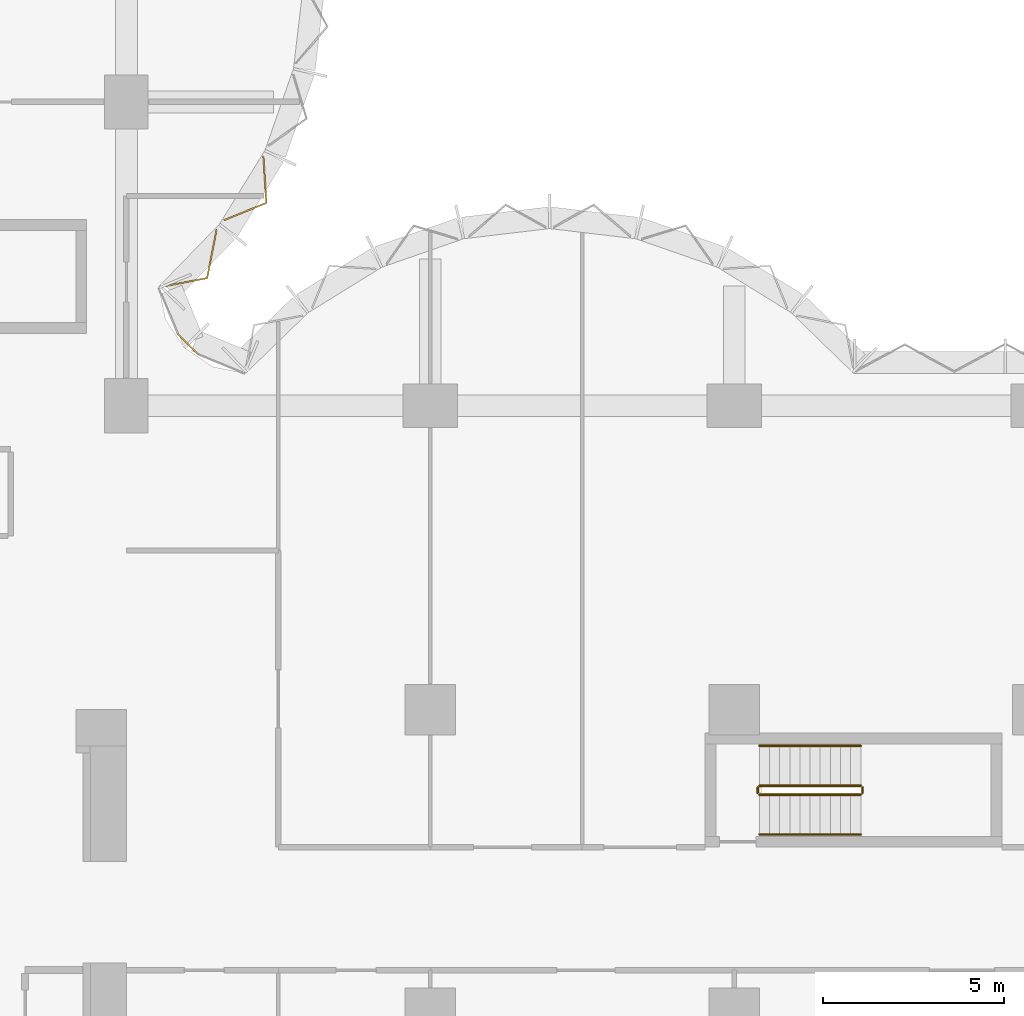
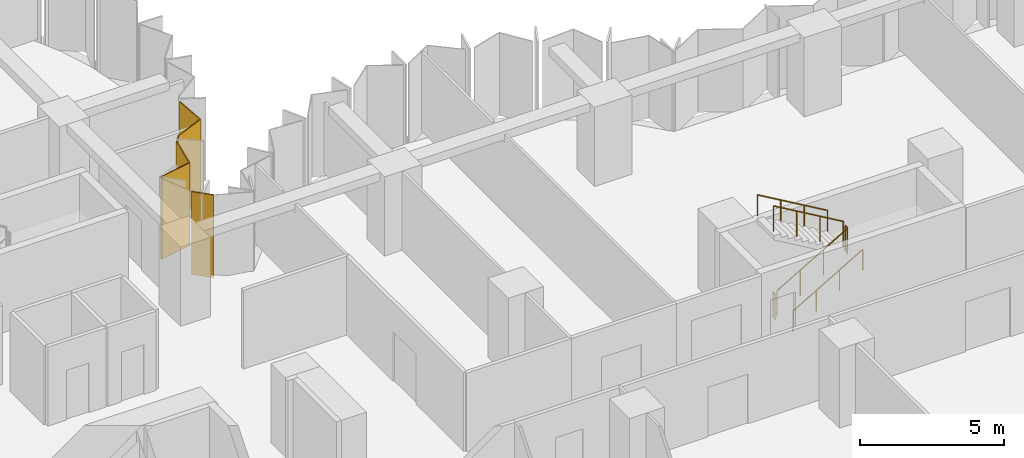
# One storey, part 14 of 15: 6 railings, 3 coverings, 2 elements without a shape of their own.
"""IFC4 building model written with IfcOpenShell, lengths in metres."""

from ifc_helpers import new_model, si_unit, direction, frame, origin, origin_2d, place, context, subcontext, project, spatial, polyline, circle, outline, extrude, material, layer, layer_set, type_object, element, aggregate, save


model = new_model("IFC4")

# Units and contexts
model_context = context("Model", 3, precision=1e-05, world=origin(), true_north=direction((0.0, 1.0)))
body_context = subcontext(model_context, "Body", "Model", "MODEL_VIEW")
ifc_project = project(units=[si_unit("LENGTHUNIT", "METRE"), si_unit("AREAUNIT", "SQUARE_METRE"), si_unit("VOLUMEUNIT", "CUBIC_METRE"), si_unit("PLANEANGLEUNIT", "RADIAN"), si_unit("MASSUNIT", "GRAM", prefix="KILO")], contexts=[model_context])

# Site, building, storey
site_placement = place(None, origin())
site = spatial("IfcSite", under=ifc_project, at=site_placement, CompositionType="ELEMENT")
building_placement = place(site_placement, origin())
building = spatial("IfcBuilding", under=site, at=building_placement, Name="Brevane Broadcast Tower", CompositionType="ELEMENT")
storey_placement = place(building_placement, frame((0.0, 0.0, 61.699951171875)))
storey = spatial("IfcBuildingStorey", under=building, at=storey_placement, Name="L13", CompositionType="ELEMENT", Elevation=61.699951171875)

# Railings
ifc_material_1 = material(Name="Steel S355", Category="steel")
railing_type_1 = type_object("IfcRailingType", Name="Exit stair guard", PredefinedType="GUARDRAIL", material=ifc_material_1)
railing_1_placement = place(storey_placement, frame((42.699951171875, 14.449951171875, 0.16357421875)))
element("IfcRailing", 1, at=railing_1_placement, inside=storey, type_object=railing_type_1, Name="L13 ST-4 stair guard 1", PredefinedType="GUARDRAIL", context=body_context, shape_type="SweptSolid", body=[
    extrude(circle(Radius=0.02392578125, at=origin_2d()), frame((0.0, 0.0, 1.076171875), z_axis=(0.863360870873, 0.0, 0.504586966384), x_axis=(0.0, 1.0, 0.0)), (0.0, 0.0, 1.0), 3.2431640625),
    extrude(circle(Radius=0.02099609375, at=origin_2d()), origin(), (0.0, 0.0, 1.0), 1.052001953125),
    extrude(circle(Radius=0.02099609375, at=origin_2d()), frame((0.933349609375, 0.0, 0.54541015625)), (0.0, 0.0, 1.0), 1.052001953125),
    extrude(circle(Radius=0.02099609375, at=origin_2d()), frame((1.86669921875, 0.0, 1.091064453125)), (0.0, 0.0, 1.0), 1.052001953125),
    extrude(circle(Radius=0.02099609375, at=origin_2d()), frame((2.800048828125, 0.0, 1.636474609375)), (0.0, 0.0, 1.0), 1.052001953125),
])
railing_2_placement = place(storey_placement, frame((45.550048828125, 14.5, 1.800048828125)))
element("IfcRailing", 2, at=railing_2_placement, inside=storey, type_object=railing_type_1, Name="L13 ST-4 stair guard 2", PredefinedType="GUARDRAIL", context=body_context, shape_type="SweptSolid", body=[
    extrude(circle(Radius=0.02392578125, at=origin_2d()), frame((0.0, 0.0, 1.076171875), z_axis=(0.0, 1.0, 0.0), x_axis=(-1.0, 0.0, 0.0)), (0.0, 0.0, 1.0), 0.14990234375),
    extrude(circle(Radius=0.02099609375, at=origin_2d()), origin(), (0.0, 0.0, 1.0), 1.052001953125),
    extrude(circle(Radius=0.02099609375, at=origin_2d()), frame((0.0, 0.14990234375, 0.0)), (0.0, 0.0, 1.0), 1.052001953125),
])
railing_3_placement = place(storey_placement, frame((45.5, 14.699951171875, 1.963623046875)))
element("IfcRailing", 3, at=railing_3_placement, inside=storey, type_object=railing_type_1, Name="L13 ST-4 stair guard 3", PredefinedType="GUARDRAIL", context=body_context, shape_type="SweptSolid", body=[
    extrude(circle(Radius=0.02392578125, at=origin_2d()), frame((0.0, 0.0, 1.076171875), z_axis=(-0.863360870873, 0.0, 0.504586966384), x_axis=(0.0, -1.0, 0.0)), (0.0, 0.0, 1.0), 3.2431640625),
    extrude(circle(Radius=0.02099609375, at=origin_2d()), origin(), (0.0, 0.0, 1.0), 1.052001953125),
    extrude(circle(Radius=0.02099609375, at=origin_2d()), frame((-0.933349609375, 0.0, 0.54541015625)), (0.0, 0.0, 1.0), 1.052001953125),
    extrude(circle(Radius=0.02099609375, at=origin_2d()), frame((-1.86669921875, 0.0, 1.091064453125)), (0.0, 0.0, 1.0), 1.052001953125),
    extrude(circle(Radius=0.02099609375, at=origin_2d()), frame((-2.800048828125, 0.0, 1.636474609375)), (0.0, 0.0, 1.0), 1.052001953125),
])
railing_4_placement = place(storey_placement, frame((42.64990234375, 14.5, 0.0)))
element("IfcRailing", 4, at=railing_4_placement, inside=storey, type_object=railing_type_1, Name="L13 ST-4 stair guard 4", PredefinedType="GUARDRAIL", context=body_context, shape_type="SweptSolid", body=[
    extrude(circle(Radius=0.02392578125, at=origin_2d()), frame((0.0, 0.0, 1.076171875), z_axis=(0.0, 1.0, 0.0), x_axis=(-1.0, 0.0, 0.0)), (0.0, 0.0, 1.0), 0.14990234375),
    extrude(circle(Radius=0.02099609375, at=origin_2d()), origin(), (0.0, 0.0, 1.0), 1.052001953125),
    extrude(circle(Radius=0.02099609375, at=origin_2d()), frame((0.0, 0.14990234375, 0.0)), (0.0, 0.0, 1.0), 1.052001953125),
])
railing_type_2 = type_object("IfcRailingType", Name="Exit stair handrail", PredefinedType="HANDRAIL", material=ifc_material_1)
railing_5_placement = place(storey_placement, frame((42.699951171875, 13.35009765625, 0.16357421875)))
element("IfcRailing", 5, at=railing_5_placement, inside=storey, type_object=railing_type_2, Name="L13 ST-4 stair handrail 1", PredefinedType="HANDRAIL", context=body_context, shape_type="SweptSolid", body=[
    extrude(circle(Radius=0.02392578125, at=origin_2d()), frame((0.0, 0.0, 0.8759765625), z_axis=(0.863360870873, 0.0, 0.504586966384), x_axis=(0.0, 1.0, 0.0)), (0.0, 0.0, 1.0), 3.2431640625),
    extrude(circle(Radius=0.02099609375, at=origin_2d()), origin(), (0.0, 0.0, 1.0), 0.851806640625),
    extrude(circle(Radius=0.02099609375, at=origin_2d()), frame((0.933349609375, 0.0, 0.54541015625)), (0.0, 0.0, 1.0), 0.851806640625),
    extrude(circle(Radius=0.02099609375, at=origin_2d()), frame((1.86669921875, 0.0, 1.091064453125)), (0.0, 0.0, 1.0), 0.851806640625),
    extrude(circle(Radius=0.02099609375, at=origin_2d()), frame((2.800048828125, 0.0, 1.636474609375)), (0.0, 0.0, 1.0), 0.851806640625),
])
railing_6_placement = place(storey_placement, frame((45.5, 15.800048828125, 1.963623046875)))
element("IfcRailing", 6, at=railing_6_placement, inside=storey, type_object=railing_type_2, Name="L13 ST-4 stair handrail 2", PredefinedType="HANDRAIL", context=body_context, shape_type="SweptSolid", body=[
    extrude(circle(Radius=0.02392578125, at=origin_2d()), frame((0.0, 0.0, 0.8759765625), z_axis=(-0.863360870873, 0.0, 0.504586966384), x_axis=(0.0, -1.0, 0.0)), (0.0, 0.0, 1.0), 3.2431640625),
    extrude(circle(Radius=0.02099609375, at=origin_2d()), origin(), (0.0, 0.0, 1.0), 0.851806640625),
    extrude(circle(Radius=0.02099609375, at=origin_2d()), frame((-0.933349609375, 0.0, 0.54541015625)), (0.0, 0.0, 1.0), 0.851806640625),
    extrude(circle(Radius=0.02099609375, at=origin_2d()), frame((-1.86669921875, 0.0, 1.091064453125)), (0.0, 0.0, 1.0), 0.851806640625),
    extrude(circle(Radius=0.02099609375, at=origin_2d()), frame((-2.800048828125, 0.0, 1.636474609375)), (0.0, 0.0, 1.0), 0.851806640625),
])

# Curtain wall, coverings
ifc_material_2 = material(Name="Aluminium 6063-T6 bronze anodised", Category="aluminium")
curtain_wall_type = type_object("IfcCurtainWallType", Name="CW-1 curtain wall", PredefinedType="NOTDEFINED", material=ifc_material_2)
curtain_wall_1_placement = place(storey_placement, origin())
curtain_wall_1 = element("IfcCurtainWall", 7, at=curtain_wall_1_placement, inside=storey, type_object=curtain_wall_type, Name="CW-1 typical tilted unit L13 north bow", PredefinedType="NOTDEFINED")
ifc_material_3 = material(Name="Back-painted bronze glass shadow-box", Category="glass")
ifc_layer = layer(ifc_material_3, 0.0400390625)
ifc_layer_set = layer_set([ifc_layer], Name="Shadow-box panel 40")
covering_type = type_object("IfcCoveringType", Name="Shadow-box panel 40", PredefinedType="CLADDING", material=ifc_layer_set)
covering_1_placement = place(storey_placement, frame((0.0, 0.0, -0.14990234375)))
covering_1 = element("IfcCovering", 8, at=covering_1_placement, type_object=covering_type, Name="Shadow-box panel", PredefinedType="CLADDING", context=body_context, shape_type="SweptSolid", body=[
    extrude(outline(polyline([(26.14404296875, 28.506103515625), (26.17919921875, 28.471923828125), (27.447265625, 28.7138671875), (27.71142578125, 30.0615234375), (27.67626953125, 30.089111328125), (27.4130859375, 28.748046875), (26.14404296875, 28.506103515625)])), origin(), (0.0, 0.0, 1.0), 3.5),
])
covering_2_placement = place(storey_placement, frame((0.0, 0.0, -0.14990234375)))
covering_2 = element("IfcCovering", 9, at=covering_2_placement, type_object=covering_type, Name="Shadow-box panel", PredefinedType="CLADDING", context=body_context, shape_type="SweptSolid", body=[
    extrude(outline(polyline([(27.8759765625, 30.343017578125), (27.912109375, 30.314697265625), (29.089111328125, 30.7958984375), (29.006591796875, 32.08935546875), (28.96533203125, 32.10888671875), (29.04736328125, 30.822265625), (27.8759765625, 30.343017578125)])), origin(), (0.0, 0.0, 1.0), 3.5),
])
aggregate(curtain_wall_1, [covering_1, covering_2])

# Curtain wall, covering
curtain_wall_2_placement = place(storey_placement, origin())
curtain_wall_2 = element("IfcCurtainWall", 10, at=curtain_wall_2_placement, inside=storey, type_object=curtain_wall_type, Name="CW-1 typical tilted unit L13 inner corner", PredefinedType="NOTDEFINED")
covering_3_placement = place(storey_placement, frame((0.0, 0.0, -0.14990234375)))
covering_3 = element("IfcCovering", 11, at=covering_3_placement, type_object=covering_type, Name="Closure panel", PredefinedType="CLADDING", context=body_context, shape_type="SweptSolid", body=[
    extrude(outline(polyline([(27.17138671875, 26.60498046875), (27.2021484375, 26.635498046875), (26.635498046875, 27.2021484375), (26.60498046875, 27.17138671875), (27.17138671875, 26.60498046875)])), origin(), (0.0, 0.0, 1.0), 3.5),
])
aggregate(curtain_wall_2, [covering_3])

save(model, "model.ifc")
